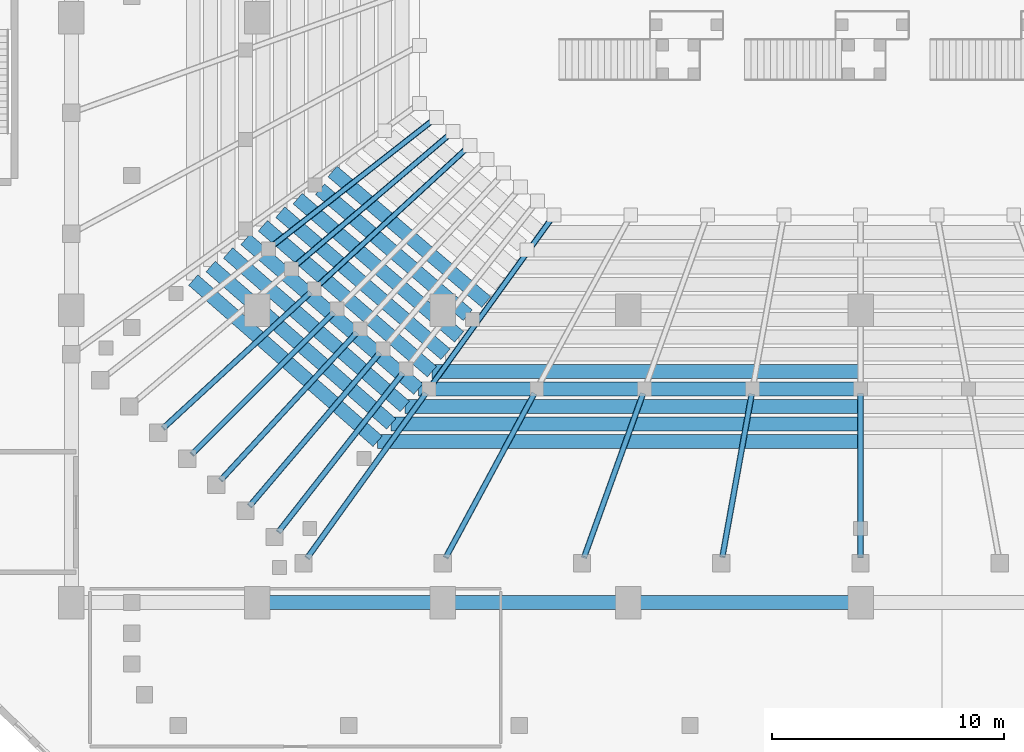
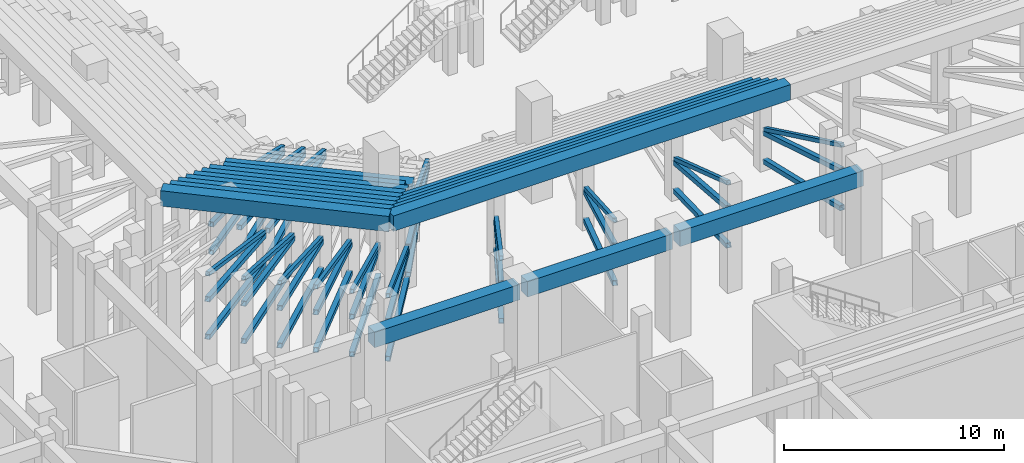
# One storey, part 31 of 143: 42 members, 17 beams.
"""IFC4 building model written with IfcOpenShell, lengths in metres."""

import ifcopenshell
import ifcopenshell.guid

model = None  # the IFC model being written
_history = None  # IfcOwnerHistory: only IFC2X3 demands one
_inside = {}  # id of a spatial element -> (the spatial element, [elements in it])
_under = {}  # id of a project, library or spatial element -> (it, [spatial elements below it])
_declared = {}  # id of a project -> (the project, [libraries it declares])
_typed = {}  # id of a type object -> (the type object, [elements of that type])
_made_of = {}  # id of a material, layer set ... -> (it, [elements and type objects made of it])


def new_model(schema):
    """Start an empty IFC model of exactly this schema.

    Asked for "IFC4X3", IfcOpenShell would pick the latest addendum, in which some entities
    have other attributes; the version numbers below select the first issue.
    IFC2X3 requires an IfcOwnerHistory on every rooted entity: one is made here for all.
    """
    global model, _history
    if schema == "IFC4X3":
        model = ifcopenshell.file(schema_version=(4, 3, 0, 0))
    else:
        model = ifcopenshell.file(schema=schema)
    _inside.clear()
    _under.clear()
    _declared.clear()
    _typed.clear()
    _made_of.clear()
    _history = None
    if model.schema == "IFC2X3":
        org = make("IfcOrganization", Name="unknown")
        user = make(
            "IfcPersonAndOrganization",
            ThePerson=make("IfcPerson", FamilyName="unknown"),
            TheOrganization=org,
        )
        app = make(
            "IfcApplication",
            ApplicationDeveloper=org,
            Version="unknown",
            ApplicationFullName="unknown",
            ApplicationIdentifier="unknown",
        )
        _history = make(
            "IfcOwnerHistory",
            OwningUser=user,
            OwningApplication=app,
            ChangeAction="ADDED",
            CreationDate=0,
        )
    return model


def make(cls, **values):
    """One entity of the class cls with the attributes given. An attribute that is None is left unset."""
    return model.create_entity(
        cls, **{name: value for name, value in values.items() if value is not None}
    )


def rooted(cls, **values):
    """An entity with a GlobalId (a new one), such as an element, a storey or a relation."""
    return make(cls, GlobalId=ifcopenshell.guid.new(), OwnerHistory=_history, **values)


def si_unit(unit_type, name, prefix=None):
    """IfcSIUnit, for example si_unit("LENGTHUNIT", "METRE", prefix="MILLI")."""
    return make("IfcSIUnit", UnitType=unit_type, Prefix=prefix, Name=name)


def derived_unit(unit_type, elements):
    """IfcDerivedUnit: a product of units, each with its exponent."""
    return make(
        "IfcDerivedUnit",
        Elements=[
            make("IfcDerivedUnitElement", Unit=unit, Exponent=power)
            for unit, power in elements
        ],
        UnitType=unit_type,
    )


def assignment(units):
    """IfcUnitAssignment: the units of a project."""
    return None if units is None else make("IfcUnitAssignment", Units=units)


def point(xyz):
    """IfcCartesianPoint."""
    return None if xyz is None else make("IfcCartesianPoint", Coordinates=xyz)


def direction(xyz):
    """IfcDirection."""
    return None if xyz is None else make("IfcDirection", DirectionRatios=xyz)


def frame(location, z_axis=None, x_axis=None):
    """IfcAxis2Placement3D, a coordinate frame: its origin and axes. An axis left out is left unset."""
    return make(
        "IfcAxis2Placement3D",
        Location=point(location),
        Axis=direction(z_axis),
        RefDirection=direction(x_axis),
    )


def frame_2d(location, x_axis=None):
    """IfcAxis2Placement2D, a coordinate frame in the plane: its origin and x axis."""
    return make(
        "IfcAxis2Placement2D", Location=point(location), RefDirection=direction(x_axis)
    )


def origin():
    """The frame at (0, 0, 0) with its axes left unset."""
    return frame((0.0, 0.0, 0.0))


def origin_2d():
    """The frame at (0, 0) in the plane with its x axis left unset."""
    return frame_2d((0.0, 0.0))


def place(relative_to, where):
    """IfcLocalPlacement: puts the frame where relative to a parent placement (None: the world)."""
    return make(
        "IfcLocalPlacement", PlacementRelTo=relative_to, RelativePlacement=where
    )


def context(
    kind, dimensions, precision=None, world=None, true_north=None, identifier=None
):
    """IfcGeometricRepresentationContext, for example the 3D "Model" context."""
    return make(
        "IfcGeometricRepresentationContext",
        ContextIdentifier=identifier,
        ContextType=kind,
        CoordinateSpaceDimension=dimensions,
        Precision=precision,
        WorldCoordinateSystem=world,
        TrueNorth=true_north,
    )


def subcontext(parent, identifier, kind, view, scale=None):
    """IfcGeometricRepresentationSubContext, for example "Body" below "Model"."""
    return make(
        "IfcGeometricRepresentationSubContext",
        ContextIdentifier=identifier,
        ContextType=kind,
        ParentContext=parent,
        TargetScale=scale,
        TargetView=view,
    )


def project(units=None, contexts=None):
    """IfcProject with its units and contexts."""
    return rooted(
        "IfcProject",
        Name="project",
        RepresentationContexts=contexts,
        UnitsInContext=assignment(units),
    )


def spatial(cls, under=None, at=None, **own):
    """A site, building, storey or space (cls), placed at a placement, below another one or the project."""
    s = rooted(cls, ObjectPlacement=at, **own)
    if under is not None:
        _under.setdefault(under.id(), (under, []))[1].append(s)
    return s


def profile(cls, at=None, kind="AREA", **sizes):
    """A parametric profile (cls). Its sizes go by their IFC names, for example OverallWidth=200.0."""
    return make(cls, ProfileType=kind, Position=at, **sizes)


def rectangle(**sizes):
    """IfcRectangleProfileDef."""
    return profile("IfcRectangleProfileDef", **sizes)


def hollow_rectangle(**sizes):
    """IfcRectangleHollowProfileDef."""
    return profile("IfcRectangleHollowProfileDef", **sizes)


def extrude(swept, where, along, depth):
    """IfcExtrudedAreaSolid: the profile swept, set in the frame where, extruded along a direction by depth."""
    return make(
        "IfcExtrudedAreaSolid",
        SweptArea=swept,
        Position=where,
        ExtrudedDirection=direction(along),
        Depth=depth,
    )


def shape(context_of_items, identifier, shape_type, items):
    """IfcShapeRepresentation: the items that make up one representation, for example the "Body"."""
    return make(
        "IfcShapeRepresentation",
        ContextOfItems=context_of_items,
        RepresentationIdentifier=identifier,
        RepresentationType=shape_type,
        Items=items,
    )


def material(Name=None, Category=None):
    """IfcMaterial."""
    return make("IfcMaterial", Name=Name, Category=Category)


def material_profile(
    of_material, cross_section, Name=None, Category=None, Priority=None
):
    """IfcMaterialProfile: a cross section and its material."""
    return make(
        "IfcMaterialProfile",
        Name=Name,
        Material=of_material,
        Profile=cross_section,
        Priority=Priority,
        Category=Category,
    )


def profile_set(profiles, Name=None, composite=None):
    """IfcMaterialProfileSet."""
    return make(
        "IfcMaterialProfileSet",
        Name=Name,
        MaterialProfiles=profiles,
        CompositeProfile=composite,
    )


def made_of(thing, what):
    """Note that an element or type object is made of a material, layer set ...; save() writes the relation."""
    if what is not None:
        _made_of.setdefault(what.id(), (what, []))[1].append(thing)
    return thing


def type_object(cls, material=None, **own):
    """A type object (cls), such as IfcWallType, which elements share."""
    return made_of(rooted(cls, **own), material)


def element(
    cls,
    number,
    at=None,
    inside=None,
    cuts=None,
    type_object=None,
    material=None,
    context=None,
    identifier="Body",
    shape_type=None,
    held_by="IfcProductDefinitionShape",
    body=None,
    shapes=None,
    **own,
):
    """One element of the class cls, such as IfcWall. Its Tag is "e" and its number.

    at: its placement. inside: the storey or other place that contains it. cuts: it is an
    opening in that element (IfcRelVoidsElement). A single representation is given by context,
    identifier, shape_type and body (its items); several are given by shapes. held_by: the class
    of the entity that holds the representations. save() writes the other relations.
    """
    e = rooted(cls, Tag="e%d" % number, ObjectPlacement=at, **own)
    if body is not None:
        shapes = [shape(context, identifier, shape_type, body)]
    if shapes is not None:
        e.Representation = make(held_by, Representations=shapes)
    if inside is not None:
        _inside.setdefault(inside.id(), (inside, []))[1].append(e)
    if cuts is not None:
        rooted(
            "IfcRelVoidsElement", RelatingBuildingElement=cuts, RelatedOpeningElement=e
        )
    if type_object is not None:
        _typed.setdefault(type_object.id(), (type_object, []))[1].append(e)
    return made_of(e, material)


def aggregate(whole, parts):
    """IfcRelAggregates: a whole, such as a stair, and the parts it consists of."""
    return rooted("IfcRelAggregates", RelatingObject=whole, RelatedObjects=parts)


def save(model, path):
    """Write the relations noted so far, then the file.

    IfcRelAggregates (storeys below a building ...), IfcRelContainedInSpatialStructure (elements
    in a storey), IfcRelDefinesByType, IfcRelAssociatesMaterial and IfcRelDeclares: one each for
    every whole, place, type object, material and project.
    """
    for whole, parts in _under.values():
        aggregate(whole, parts)
    for where, things in _inside.values():
        rooted(
            "IfcRelContainedInSpatialStructure",
            RelatedElements=things,
            RelatingStructure=where,
        )
    for kind, things in _typed.values():
        rooted("IfcRelDefinesByType", RelatedObjects=things, RelatingType=kind)
    for what, things in _made_of.values():
        rooted("IfcRelAssociatesMaterial", RelatedObjects=things, RelatingMaterial=what)
    for by, libraries in _declared.values():
        rooted("IfcRelDeclares", RelatingContext=by, RelatedDefinitions=libraries)
    model.write(path)


model = new_model("IFC4")

# Units and contexts
model_context = context("Model", 3, precision=1e-05, world=origin(), true_north=direction((0.0, 1.0)))
body_context = subcontext(model_context, "Body", "Model", "MODEL_VIEW")
ifc_project = project(units=[si_unit("LENGTHUNIT", "METRE"), si_unit("AREAUNIT", "SQUARE_METRE"), si_unit("VOLUMEUNIT", "CUBIC_METRE"), si_unit("PLANEANGLEUNIT", "RADIAN"), si_unit("MASSUNIT", "GRAM", prefix="KILO"), derived_unit("THERMALTRANSMITTANCEUNIT", [(si_unit("MASSUNIT", "GRAM", prefix="KILO"), 1), (si_unit("TIMEUNIT", "SECOND"), -3), (si_unit("THERMODYNAMICTEMPERATUREUNIT", "KELVIN"), -1)])], contexts=[model_context])

# Site, building, storey
site_placement = place(None, origin())
site = spatial("IfcSite", under=ifc_project, at=site_placement, CompositionType="ELEMENT")
building_placement = place(site_placement, origin())
building = spatial("IfcBuilding", under=site, at=building_placement, Name="Valcora Ridge Arena", CompositionType="ELEMENT")
storey_placement = place(building_placement, origin())
storey = spatial("IfcBuildingStorey", under=building, at=storey_placement, Name="L00", CompositionType="ELEMENT", Elevation=0.0)

# Beams
ifc_material_1 = material(Name="Concrete C40/50", Category="concrete")
ifc_material_profile_1 = material_profile(ifc_material_1, rectangle(XDim=0.60009765625, YDim=0.85009765625, at=origin_2d()), Name="RC 600x850")
ifc_profile_set_1 = profile_set([ifc_material_profile_1], Name="Concrete C40/50")
beam_type_1 = type_object("IfcBeamType", Name="TY-BEAM-B-RC600-X", PredefinedType="BEAM", material=ifc_profile_set_1)
beam_1_placement = place(storey_placement, frame((35.25, 51.175048828125, 2.175048828125), z_axis=(0.762294079169, -0.647230821936, 0.0), x_axis=(0.647230821936, 0.762294079169, 0.0)))
element("IfcBeam", 1, at=beam_1_placement, inside=storey, type_object=beam_type_1, Name="B-RC600-X BEM-R2-B-RC600-X-0060", PredefinedType="BEAM", context=body_context, shape_type="SweptSolid", body=[
    extrude(rectangle(XDim=0.60009765625, YDim=0.85009765625, at=origin_2d()), origin(), (0.0, 0.0, 1.0), 8.69091796875),
])
beam_2_placement = place(storey_placement, frame((34.713134765625, 50.408203125, 2.614990234375), z_axis=(0.76091703384, -0.648849187109, 0.0), x_axis=(0.648849187109, 0.76091703384, 0.0)))
element("IfcBeam", 2, at=beam_2_placement, inside=storey, type_object=beam_type_1, Name="B-RC600-X BEM-R2-B-RC600-X-0072", PredefinedType="BEAM", context=body_context, shape_type="SweptSolid", body=[
    extrude(rectangle(XDim=0.60009765625, YDim=0.85009765625, at=origin_2d()), origin(), (0.0, 0.0, 1.0), 8.36328125),
])
beam_3_placement = place(storey_placement, frame((33.75, 50.0048828125, 3.054931640625), z_axis=(0.759615985638, -0.650371858526, 0.0), x_axis=(0.650371858526, 0.759615985638, 0.0)))
element("IfcBeam", 3, at=beam_3_placement, inside=storey, type_object=beam_type_1, Name="B-RC600-X BEM-R2-B-RC600-X-0084", PredefinedType="BEAM", context=body_context, shape_type="SweptSolid", body=[
    extrude(rectangle(XDim=0.60009765625, YDim=0.85009765625, at=origin_2d()), origin(), (0.0, 0.0, 1.0), 9.156005859375),
])
beam_4_placement = place(storey_placement, frame((33.0, 49.419921875, 3.4951171875), z_axis=(0.758365655014, -0.651829374373, 0.0), x_axis=(0.651829374373, 0.758365655014, 0.0)))
element("IfcBeam", 4, at=beam_4_placement, inside=storey, type_object=beam_type_1, Name="B-RC600-X BEM-R2-B-RC600-X-0096", PredefinedType="BEAM", context=body_context, shape_type="SweptSolid", body=[
    extrude(rectangle(XDim=0.60009765625, YDim=0.85009765625, at=origin_2d()), origin(), (0.0, 0.0, 1.0), 9.388671875),
])
beam_5_placement = place(storey_placement, frame((39.534912109375, 42.550048828125, 3.93505859375), z_axis=(1.0, 0.0, 0.0), x_axis=(0.0, 1.0, 0.0)))
element("IfcBeam", 5, at=beam_5_placement, inside=storey, type_object=beam_type_1, Name="B-RC600-X BEM-R2-B-RC600-X-0097", PredefinedType="BEAM", context=body_context, shape_type="SweptSolid", body=[
    extrude(rectangle(XDim=0.60009765625, YDim=0.85009765625, at=origin_2d()), origin(), (0.0, 0.0, 1.0), 18.465087890625),
])
beam_6_placement = place(storey_placement, frame((32.25, 48.8349609375, 3.93505859375), z_axis=(0.757162389152, -0.653226696067, 0.0), x_axis=(0.653226696067, 0.757162389152, 0.0)))
element("IfcBeam", 6, at=beam_6_placement, inside=storey, type_object=beam_type_1, Name="B-RC600-X BEM-R2-B-RC600-X-0108", PredefinedType="BEAM", context=body_context, shape_type="SweptSolid", body=[
    extrude(rectangle(XDim=0.60009765625, YDim=0.85009765625, at=origin_2d()), origin(), (0.0, 0.0, 1.0), 9.621337890625),
])
beam_7_placement = place(storey_placement, frame((38.949951171875, 41.800048828125, 4.375), z_axis=(1.0, 0.0, 0.0), x_axis=(0.0, 1.0, 0.0)))
element("IfcBeam", 7, at=beam_7_placement, inside=storey, type_object=beam_type_1, Name="B-RC600-X BEM-R2-B-RC600-X-0109", PredefinedType="BEAM", context=body_context, shape_type="SweptSolid", body=[
    extrude(rectangle(XDim=0.60009765625, YDim=0.85009765625, at=origin_2d()), origin(), (0.0, 0.0, 1.0), 19.050048828125),
])
beam_8_placement = place(storey_placement, frame((31.5, 48.25, 4.375), z_axis=(0.756024144683, -0.654543728605, 0.0), x_axis=(0.654543728605, 0.756024144683, 0.0)))
element("IfcBeam", 8, at=beam_8_placement, inside=storey, type_object=beam_type_1, Name="B-RC600-X BEM-R2-B-RC600-X-0120", PredefinedType="BEAM", context=body_context, shape_type="SweptSolid", body=[
    extrude(rectangle(XDim=0.60009765625, YDim=0.85009765625, at=origin_2d()), origin(), (0.0, 0.0, 1.0), 9.85400390625),
])
beam_9_placement = place(storey_placement, frame((38.364990234375, 41.050048828125, 4.81494140625), z_axis=(1.0, 0.0, 0.0), x_axis=(0.0, 1.0, 0.0)))
element("IfcBeam", 9, at=beam_9_placement, inside=storey, type_object=beam_type_1, Name="B-RC600-X BEM-R2-B-RC600-X-0121", PredefinedType="BEAM", context=body_context, shape_type="SweptSolid", body=[
    extrude(rectangle(XDim=0.60009765625, YDim=0.85009765625, at=origin_2d()), origin(), (0.0, 0.0, 1.0), 19.635009765625),
])
beam_10_placement = place(storey_placement, frame((30.75, 47.6650390625, 4.81494140625), z_axis=(0.754936305086, -0.655798120814, 0.0), x_axis=(0.655798120814, 0.754936305086, 0.0)))
element("IfcBeam", 10, at=beam_10_placement, inside=storey, type_object=beam_type_1, Name="B-RC600-X BEM-R2-B-RC600-X-0132", PredefinedType="BEAM", context=body_context, shape_type="SweptSolid", body=[
    extrude(rectangle(XDim=0.60009765625, YDim=0.85009765625, at=origin_2d()), origin(), (0.0, 0.0, 1.0), 10.0869140625),
])
beam_11_placement = place(storey_placement, frame((37.780029296875, 40.300048828125, 5.2548828125), z_axis=(1.0, 0.0, 0.0), x_axis=(0.0, 1.0, 0.0)))
element("IfcBeam", 11, at=beam_11_placement, inside=storey, type_object=beam_type_1, Name="B-RC600-X BEM-R2-B-RC600-X-0133", PredefinedType="BEAM", context=body_context, shape_type="SweptSolid", body=[
    extrude(rectangle(XDim=0.60009765625, YDim=0.85009765625, at=origin_2d()), origin(), (0.0, 0.0, 1.0), 20.219970703125),
])
beam_12_placement = place(storey_placement, frame((30.0, 47.080078125, 5.2548828125), z_axis=(0.753895608805, -0.656994224499, 0.0), x_axis=(0.656994224499, 0.753895608805, 0.0)))
element("IfcBeam", 12, at=beam_12_placement, inside=storey, type_object=beam_type_1, Name="B-RC600-X BEM-R2-B-RC600-X-0144", PredefinedType="BEAM", context=body_context, shape_type="SweptSolid", body=[
    extrude(rectangle(XDim=0.60009765625, YDim=0.85009765625, at=origin_2d()), origin(), (0.0, 0.0, 1.0), 10.31982421875),
])
beam_13_placement = place(storey_placement, frame((37.195068359375, 39.550048828125, 5.695068359375), z_axis=(1.0, 0.0, 0.0), x_axis=(0.0, 1.0, 0.0)))
element("IfcBeam", 13, at=beam_13_placement, inside=storey, type_object=beam_type_1, Name="B-RC600-X BEM-R2-B-RC600-X-0145", PredefinedType="BEAM", context=body_context, shape_type="SweptSolid", body=[
    extrude(rectangle(XDim=0.60009765625, YDim=0.85009765625, at=origin_2d()), origin(), (0.0, 0.0, 1.0), 20.804931640625),
])
beam_14_placement = place(storey_placement, frame((29.25, 46.4951171875, 5.695068359375), z_axis=(0.752899068512, -0.658135998585, 0.0), x_axis=(0.658135998585, 0.752899068512, 0.0)))
element("IfcBeam", 14, at=beam_14_placement, inside=storey, type_object=beam_type_1, Name="B-RC600-X BEM-R2-B-RC600-X-0156", PredefinedType="BEAM", context=body_context, shape_type="SweptSolid", body=[
    extrude(rectangle(XDim=0.60009765625, YDim=0.85009765625, at=origin_2d()), origin(), (0.0, 0.0, 1.0), 10.552734375),
])
ifc_material_profile_2 = material_profile(ifc_material_1, rectangle(XDim=0.60009765625, YDim=0.85009765625, at=origin_2d()), Name="RC 600x850")
ifc_profile_set_2 = profile_set([ifc_material_profile_2], Name="Concrete C40/50")
beam_type_2 = type_object("IfcBeamType", Name="TY-BEAM-EB-RC600", PredefinedType="BEAM", material=ifc_profile_set_2)
for number, where, z_axis, x_axis, name in (
    (15, (32.199951171875, 32.60009765625, 5.215087890625), (1.0, 0.0, 0.0), (0.0, 1.0, 0.0), "EB-RC600 BEM-EB-RC600-0002"),
    (16, (40.199951171875, 32.60009765625, 5.215087890625), (1.0, 0.0, 0.0), (0.0, 1.0, 0.0), "EB-RC600 BEM-EB-RC600-0003"),
):
    element("IfcBeam", number, at=place(storey_placement, frame(where, z_axis=z_axis, x_axis=x_axis)), inside=storey, type_object=beam_type_2, Name=name, PredefinedType="BEAM", context=body_context, shape_type="SweptSolid", body=[
        extrude(rectangle(XDim=0.60009765625, YDim=0.85009765625, at=origin_2d()), origin(), (0.0, 0.0, 1.0), 7.60009765625),
    ])
beam_15_placement = place(storey_placement, frame((48.199951171875, 32.60009765625, 5.215087890625), z_axis=(1.0, 0.0, 0.0), x_axis=(0.0, 1.0, 0.0)))
element("IfcBeam", 17, at=beam_15_placement, inside=storey, type_object=beam_type_2, Name="EB-RC600 BEM-EB-RC600-0004", PredefinedType="BEAM", context=body_context, shape_type="SweptSolid", body=[
    extrude(rectangle(XDim=0.60009765625, YDim=0.85009765625, at=origin_2d()), origin(), (0.0, 0.0, 1.0), 9.60009765625),
])

# Members
ifc_material_2 = material(Name="Steel ASTM A500 Grade C", Category="steel")
ifc_material_profile_3 = material_profile(ifc_material_2, hollow_rectangle(XDim=0.25, YDim=0.25, WallThickness=0.012451171875, at=origin_2d()), Name="HSS250X250X12")
ifc_profile_set_3 = profile_set([ifc_material_profile_3], Name="Steel ASTM A500 Grade C")
member_type_1 = type_object("IfcMemberType", Name="TY-MEMBER-RKRC-251", PredefinedType="CHORD", material=ifc_profile_set_3)
member_1_placement = place(storey_placement, frame((44.662109375, 49.108642578125, 0.294677734375), z_axis=(-0.574095048612, -0.797370949409, 0.18604957457), x_axis=(0.811540149599, -0.584296658889, 0.0)))
element("IfcMember", 18, at=member_1_placement, inside=storey, type_object=member_type_1, Name="RKRC-251 MBR-RK-RKRC-251-0001", PredefinedType="CHORD", context=body_context, shape_type="SweptSolid", body=[
    extrude(hollow_rectangle(XDim=0.25, YDim=0.25, WallThickness=0.012451171875, at=origin_2d()), origin(), (0.0, 0.0, 1.0), 8.92578125),
])
member_2_placement = place(storey_placement, frame((39.539306640625, 53.354736328125, 0.294921875), z_axis=(-0.77369753626, -0.605307455921, 0.18706952235), x_axis=(0.616185171788, -0.787601316701, 0.0)))
element("IfcMember", 19, at=member_2_placement, inside=storey, type_object=member_type_1, Name="RKRC-251 MBR-RK-RKRC-251-0054", PredefinedType="CHORD", context=body_context, shape_type="SweptSolid", body=[
    extrude(hollow_rectangle(XDim=0.25, YDim=0.25, WallThickness=0.012451171875, at=origin_2d()), origin(), (0.0, 0.0, 1.0), 8.87451171875),
])
member_3_placement = place(storey_placement, frame((40.270263671875, 52.747314453125, 0.295166015625), z_axis=(-0.748579173913, -0.635893103484, 0.187800908745), x_axis=(0.647412437908, -0.76213983969, 0.0)))
element("IfcMember", 20, at=member_3_placement, inside=storey, type_object=member_type_1, Name="RKRC-251 MBR-RK-RKRC-251-0055", PredefinedType="CHORD", context=body_context, shape_type="SweptSolid", body=[
    extrude(hollow_rectangle(XDim=0.25, YDim=0.25, WallThickness=0.012451171875, at=origin_2d()), origin(), (0.0, 0.0, 1.0), 8.83740234375),
])
member_4_placement = place(storey_placement, frame((41.001708984375, 52.14013671875, 0.295166015625), z_axis=(-0.722135817666, -0.665638902305, 0.188267662071), x_axis=(0.67775874937, -0.735284351563, 0.0)))
element("IfcMember", 21, at=member_4_placement, inside=storey, type_object=member_type_1, Name="RKRC-251 MBR-RK-RKRC-251-0056", PredefinedType="CHORD", context=body_context, shape_type="SweptSolid", body=[
    extrude(hollow_rectangle(XDim=0.25, YDim=0.25, WallThickness=0.012451171875, at=origin_2d()), origin(), (0.0, 0.0, 1.0), 8.8154296875),
])
ifc_material_profile_4 = material_profile(ifc_material_2, hollow_rectangle(XDim=0.25, YDim=0.25, WallThickness=0.012451171875, at=origin_2d()), Name="HSS250X250X12")
ifc_profile_set_4 = profile_set([ifc_material_profile_4], Name="Steel ASTM A500 Grade C")
member_type_2 = type_object("IfcMemberType", Name="TY-MEMBER-RKRC-252", PredefinedType="CHORD", material=ifc_profile_set_4)
member_5_placement = place(storey_placement, frame((39.263916015625, 41.611083984375, 2.05810546875), z_axis=(-0.567011880625, -0.787514994452, 0.241490498247), x_axis=(0.811533811457, -0.584305461948, 0.0)))
element("IfcMember", 22, at=member_5_placement, inside=storey, type_object=member_type_2, Name="RKRC-252 MBR-RK-RKRC-252-0001", PredefinedType="CHORD", context=body_context, shape_type="SweptSolid", body=[
    extrude(hollow_rectangle(XDim=0.25, YDim=0.25, WallThickness=0.012451171875, at=origin_2d()), origin(), (0.0, 0.0, 1.0), 9.003662109375),
])
member_6_placement = place(storey_placement, frame((43.93994140625, 41.59619140625, 2.0625), z_axis=(-0.458742849833, -0.8495205311, 0.260518454178), x_axis=(0.87990463419, -0.475150328559, 0.0)))
element("IfcMember", 23, at=member_6_placement, inside=storey, type_object=member_type_2, Name="RKRC-252 MBR-RK-RKRC-252-0002", PredefinedType="CHORD", context=body_context, shape_type="SweptSolid", body=[
    extrude(hollow_rectangle(XDim=0.25, YDim=0.25, WallThickness=0.012451171875, at=origin_2d()), origin(), (0.0, 0.0, 1.0), 8.30859375),
])
member_7_placement = place(storey_placement, frame((48.621826171875, 41.5830078125, 2.06640625), z_axis=(-0.325435833964, -0.904005869091, 0.277245210277), x_axis=(0.940889494564, -0.338713682953, 0.0)))
element("IfcMember", 24, at=member_7_placement, inside=storey, type_object=member_type_2, Name="RKRC-252 MBR-RK-RKRC-252-0003", PredefinedType="CHORD", context=body_context, shape_type="SweptSolid", body=[
    extrude(hollow_rectangle(XDim=0.25, YDim=0.25, WallThickness=0.012451171875, at=origin_2d()), origin(), (0.0, 0.0, 1.0), 7.776611328125),
])
member_8_placement = place(storey_placement, frame((53.309326171875, 41.573974609375, 2.0693359375), z_axis=(-0.169581220746, -0.94221268818, 0.288924661121), x_axis=(0.984186431325, -0.177135734384, 0.0)))
element("IfcMember", 25, at=member_8_placement, inside=storey, type_object=member_type_2, Name="RKRC-252 MBR-RK-RKRC-252-0004", PredefinedType="CHORD", context=body_context, shape_type="SweptSolid", body=[
    extrude(hollow_rectangle(XDim=0.25, YDim=0.25, WallThickness=0.012451171875, at=origin_2d()), origin(), (0.0, 0.0, 1.0), 7.440185546875),
])
member_9_placement = place(storey_placement, frame((58.0, 41.570556640625, 2.0703125), z_axis=(0.0, -0.95604885156, 0.293207423901), x_axis=(1.0, 0.0, 0.0)))
element("IfcMember", 26, at=member_9_placement, inside=storey, type_object=member_type_2, Name="RKRC-252 MBR-RK-RKRC-252-0005", PredefinedType="CHORD", context=body_context, shape_type="SweptSolid", body=[
    extrude(hollow_rectangle(XDim=0.25, YDim=0.25, WallThickness=0.012451171875, at=origin_2d()), origin(), (0.0, 0.0, 1.0), 7.324951171875),
])
member_10_placement = place(storey_placement, frame((34.29150390625, 45.954833984375, 2.05859375), z_axis=(-0.712985385494, -0.657238799494, 0.244313324464), x_axis=(0.677777949343, -0.735266653252, 0.0)))
element("IfcMember", 27, at=member_10_placement, inside=storey, type_object=member_type_2, Name="RKRC-252 MBR-RK-RKRC-252-0056", PredefinedType="CHORD", context=body_context, shape_type="SweptSolid", body=[
    extrude(hollow_rectangle(XDim=0.25, YDim=0.25, WallThickness=0.012451171875, at=origin_2d()), origin(), (0.0, 0.0, 1.0), 8.894775390625),
])
member_11_placement = place(storey_placement, frame((35.285400390625, 45.08544921875, 2.05859375), z_axis=(-0.685647133056, -0.685647133056, 0.244491345174), x_axis=(0.707106781187, -0.707106781187, 0.0)))
element("IfcMember", 28, at=member_11_placement, inside=storey, type_object=member_type_2, Name="RKRC-252 MBR-RK-RKRC-252-0057", PredefinedType="CHORD", context=body_context, shape_type="SweptSolid", body=[
    extrude(hollow_rectangle(XDim=0.25, YDim=0.25, WallThickness=0.012451171875, at=origin_2d()), origin(), (0.0, 0.0, 1.0), 8.88720703125),
])
member_12_placement = place(storey_placement, frame((36.27978515625, 44.21630859375, 2.05859375), z_axis=(-0.657223207673, -0.712998247682, 0.244317731853), x_axis=(0.735280759397, -0.677762646404, 0.0)))
element("IfcMember", 29, at=member_12_placement, inside=storey, type_object=member_type_2, Name="RKRC-252 MBR-RK-RKRC-252-0058", PredefinedType="CHORD", context=body_context, shape_type="SweptSolid", body=[
    extrude(hollow_rectangle(XDim=0.25, YDim=0.25, WallThickness=0.012451171875, at=origin_2d()), origin(), (0.0, 0.0, 1.0), 8.89453125),
])
member_13_placement = place(storey_placement, frame((37.2744140625, 43.34765625, 2.05859375), z_axis=(-0.627900701205, -0.739149634966, 0.243718129314), x_axis=(0.762130846094, -0.647423025102, 0.0)))
element("IfcMember", 30, at=member_13_placement, inside=storey, type_object=member_type_2, Name="RKRC-252 MBR-RK-RKRC-252-0059", PredefinedType="CHORD", context=body_context, shape_type="SweptSolid", body=[
    extrude(hollow_rectangle(XDim=0.25, YDim=0.25, WallThickness=0.012451171875, at=origin_2d()), origin(), (0.0, 0.0, 1.0), 8.91650390625),
])
member_14_placement = place(storey_placement, frame((38.26904296875, 42.47900390625, 2.058349609375), z_axis=(-0.597760906174, -0.76402679326, 0.242785827904), x_axis=(0.787591600786, -0.616197590364, 0.0)))
element("IfcMember", 31, at=member_14_placement, inside=storey, type_object=member_type_2, Name="RKRC-252 MBR-RK-RKRC-252-0060", PredefinedType="CHORD", context=body_context, shape_type="SweptSolid", body=[
    extrude(hollow_rectangle(XDim=0.25, YDim=0.25, WallThickness=0.012451171875, at=origin_2d()), origin(), (0.0, 0.0, 1.0), 8.95263671875),
])
ifc_material_profile_5 = material_profile(ifc_material_2, hollow_rectangle(XDim=0.25, YDim=0.25, WallThickness=0.012451171875, at=origin_2d()), Name="HSS250X250X12")
ifc_profile_set_5 = profile_set([ifc_material_profile_5], Name="Steel ASTM A500 Grade C")
member_type_3 = type_object("IfcMemberType", Name="TY-MEMBER-RKRC-254", PredefinedType="CHORD", material=ifc_profile_set_5)
member_15_placement = place(storey_placement, frame((44.659912109375, 49.105224609375, 0.39990234375), z_axis=(-0.584317938635, -0.811524828079, 0.0), x_axis=(0.811524828079, -0.584317938635, 0.0)))
element("IfcMember", 32, at=member_15_placement, inside=storey, type_object=member_type_3, Name="RKRC-254 MBR-RK-RKRC-254-0001", PredefinedType="CHORD", context=body_context, shape_type="SweptSolid", body=[
    extrude(hollow_rectangle(XDim=0.25, YDim=0.25, WallThickness=0.012451171875, at=origin_2d()), origin(), (0.0, 0.0, 1.0), 8.76171875),
])
member_16_placement = place(storey_placement, frame((39.535888671875, 53.35205078125, 0.39990234375), z_axis=(-0.78758899131, -0.616200925647, 0.0), x_axis=(0.616200925647, -0.78758899131, 0.0)))
element("IfcMember", 33, at=member_16_placement, inside=storey, type_object=member_type_3, Name="RKRC-254 MBR-RK-RKRC-254-0054", PredefinedType="CHORD", context=body_context, shape_type="SweptSolid", body=[
    extrude(hollow_rectangle(XDim=0.25, YDim=0.25, WallThickness=0.012451171875, at=origin_2d()), origin(), (0.0, 0.0, 1.0), 8.709228515625),
])
member_17_placement = place(storey_placement, frame((40.26708984375, 52.74462890625, 0.39990234375), z_axis=(-0.762138643155, -0.647413846477, 0.0), x_axis=(0.647413846477, -0.762138643155, 0.0)))
element("IfcMember", 34, at=member_17_placement, inside=storey, type_object=member_type_3, Name="RKRC-254 MBR-RK-RKRC-254-0055", PredefinedType="CHORD", context=body_context, shape_type="SweptSolid", body=[
    extrude(hollow_rectangle(XDim=0.25, YDim=0.25, WallThickness=0.012451171875, at=origin_2d()), origin(), (0.0, 0.0, 1.0), 8.671875),
])
member_18_placement = place(storey_placement, frame((40.99853515625, 52.13720703125, 0.39990234375), z_axis=(-0.735284831695, -0.677758228486, 0.0), x_axis=(0.677758228486, -0.735284831695, 0.0)))
element("IfcMember", 35, at=member_18_placement, inside=storey, type_object=member_type_3, Name="RKRC-254 MBR-RK-RKRC-254-0056", PredefinedType="CHORD", context=body_context, shape_type="SweptSolid", body=[
    extrude(hollow_rectangle(XDim=0.25, YDim=0.25, WallThickness=0.012451171875, at=origin_2d()), origin(), (0.0, 0.0, 1.0), 8.649169921875),
])
ifc_material_profile_6 = material_profile(ifc_material_2, hollow_rectangle(XDim=0.25, YDim=0.25, WallThickness=0.012451171875, at=origin_2d()), Name="HSS250X250X12")
ifc_profile_set_6 = profile_set([ifc_material_profile_6], Name="Steel ASTM A500 Grade C")
member_type_4 = type_object("IfcMemberType", Name="TY-MEMBER-RKRC-255", PredefinedType="CHORD", material=ifc_profile_set_6)
member_19_placement = place(storey_placement, frame((39.26220703125, 41.608642578125, 0.49462890625), z_axis=(-0.574105087517, -0.797362071684, 0.18605664494), x_axis=(0.811532219938, -0.58430767238, 0.0)))
element("IfcMember", 36, at=member_19_placement, inside=storey, type_object=member_type_4, Name="RKRC-255 MBR-RK-RKRC-255-0001", PredefinedType="CHORD", context=body_context, shape_type="SweptSolid", body=[
    extrude(hollow_rectangle(XDim=0.25, YDim=0.25, WallThickness=0.012451171875, at=origin_2d()), origin(), (0.0, 0.0, 1.0), 8.88623046875),
])
member_20_placement = place(storey_placement, frame((43.938232421875, 41.593017578125, 0.498291015625), z_axis=(-0.465430848581, -0.861928872886, 0.201128673427), x_axis=(0.87990998272, -0.475140423781, 0.0)))
element("IfcMember", 37, at=member_20_placement, inside=storey, type_object=member_type_4, Name="RKRC-255 MBR-RK-RKRC-255-0002", PredefinedType="CHORD", context=body_context, shape_type="SweptSolid", body=[
    extrude(hollow_rectangle(XDim=0.25, YDim=0.25, WallThickness=0.012451171875, at=origin_2d()), origin(), (0.0, 0.0, 1.0), 8.181396484375),
])
member_21_placement = place(storey_placement, frame((48.62060546875, 41.579345703125, 0.50146484375), z_axis=(-0.330860021706, -0.91899526261, 0.214427967713), x_axis=(0.940880322384, -0.338739160639, 0.0)))
element("IfcMember", 38, at=member_21_placement, inside=storey, type_object=member_type_4, Name="RKRC-255 MBR-RK-RKRC-255-0003", PredefinedType="CHORD", context=body_context, shape_type="SweptSolid", body=[
    extrude(hollow_rectangle(XDim=0.25, YDim=0.25, WallThickness=0.012451171875, at=origin_2d()), origin(), (0.0, 0.0, 1.0), 7.640869140625),
])
member_22_placement = place(storey_placement, frame((53.30859375, 41.56982421875, 0.503662109375), z_axis=(-0.172663767621, -0.959217137557, 0.223807297395), x_axis=(0.984182486251, -0.177157652266, 0.0)))
element("IfcMember", 39, at=member_22_placement, inside=storey, type_object=member_type_4, Name="RKRC-255 MBR-RK-RKRC-255-0004", PredefinedType="CHORD", context=body_context, shape_type="SweptSolid", body=[
    extrude(hollow_rectangle(XDim=0.25, YDim=0.25, WallThickness=0.012451171875, at=origin_2d()), origin(), (0.0, 0.0, 1.0), 7.298828125),
])
member_23_placement = place(storey_placement, frame((58.0, 41.56640625, 0.50439453125), z_axis=(0.0, -0.973834188084, 0.227259706324), x_axis=(1.0, 0.0, 0.0)))
element("IfcMember", 40, at=member_23_placement, inside=storey, type_object=member_type_4, Name="RKRC-255 MBR-RK-RKRC-255-0005", PredefinedType="CHORD", context=body_context, shape_type="SweptSolid", body=[
    extrude(hollow_rectangle(XDim=0.25, YDim=0.25, WallThickness=0.012451171875, at=origin_2d()), origin(), (0.0, 0.0, 1.0), 7.181640625),
])
member_24_placement = place(storey_placement, frame((34.289306640625, 45.95263671875, 0.4951171875), z_axis=(-0.722139811587, -0.665636134069, 0.188262129869), x_axis=(0.677755198895, -0.735287624247, 0.0)))
element("IfcMember", 41, at=member_24_placement, inside=storey, type_object=member_type_4, Name="RKRC-255 MBR-RK-RKRC-255-0056", PredefinedType="CHORD", context=body_context, shape_type="SweptSolid", body=[
    extrude(hollow_rectangle(XDim=0.25, YDim=0.25, WallThickness=0.012451171875, at=origin_2d()), origin(), (0.0, 0.0, 1.0), 8.775634765625),
])
member_25_placement = place(storey_placement, frame((35.283203125, 45.083251953125, 0.4951171875), z_axis=(-0.694440992123, -0.694440992123, 0.188423504158), x_axis=(0.707106781187, -0.707106781187, 0.0)))
element("IfcMember", 42, at=member_25_placement, inside=storey, type_object=member_type_4, Name="RKRC-255 MBR-RK-RKRC-255-0057", PredefinedType="CHORD", context=body_context, shape_type="SweptSolid", body=[
    extrude(hollow_rectangle(XDim=0.25, YDim=0.25, WallThickness=0.012451171875, at=origin_2d()), origin(), (0.0, 0.0, 1.0), 8.76806640625),
])
member_26_placement = place(storey_placement, frame((36.277587890625, 44.214111328125, 0.4951171875), z_axis=(-0.665649507095, -0.722126498627, 0.188265912167), x_axis=(0.735274611708, -0.677769315754, 0.0)))
element("IfcMember", 43, at=member_26_placement, inside=storey, type_object=member_type_4, Name="RKRC-255 MBR-RK-RKRC-255-0058", PredefinedType="CHORD", context=body_context, shape_type="SweptSolid", body=[
    extrude(hollow_rectangle(XDim=0.25, YDim=0.25, WallThickness=0.012451171875, at=origin_2d()), origin(), (0.0, 0.0, 1.0), 8.775390625),
])
member_27_placement = place(storey_placement, frame((37.2724609375, 43.34521484375, 0.4951171875), z_axis=(-0.635901587114, -0.748568418608, 0.187815053091), x_axis=(0.762130988109, -0.647422857925, 0.0)))
element("IfcMember", 44, at=member_27_placement, inside=storey, type_object=member_type_4, Name="RKRC-255 MBR-RK-RKRC-255-0059", PredefinedType="CHORD", context=body_context, shape_type="SweptSolid", body=[
    extrude(hollow_rectangle(XDim=0.25, YDim=0.25, WallThickness=0.012451171875, at=origin_2d()), origin(), (0.0, 0.0, 1.0), 8.797607421875),
])
member_28_placement = place(storey_placement, frame((38.26708984375, 42.476806640625, 0.494873046875), z_axis=(-0.605311535038, -0.773690058732, 0.187087248549), x_axis=(0.787596411335, -0.616191441722, 0.0)))
element("IfcMember", 45, at=member_28_placement, inside=storey, type_object=member_type_4, Name="RKRC-255 MBR-RK-RKRC-255-0060", PredefinedType="CHORD", context=body_context, shape_type="SweptSolid", body=[
    extrude(hollow_rectangle(XDim=0.25, YDim=0.25, WallThickness=0.012451171875, at=origin_2d()), origin(), (0.0, 0.0, 1.0), 8.83447265625),
])
ifc_material_profile_7 = material_profile(ifc_material_2, hollow_rectangle(XDim=0.199951171875, YDim=0.199951171875, WallThickness=0.012451171875, at=origin_2d()), Name="HSS200X200X12")
ifc_profile_set_7 = profile_set([ifc_material_profile_7], Name="Steel ASTM A500 Grade C")
member_type_5 = type_object("IfcMemberType", Name="TY-MEMBER-RKRD-202", PredefinedType="BRACE", material=ifc_profile_set_7)
member_29_placement = place(storey_placement, frame((39.269287109375, 41.618408203125, 2.237060546875), z_axis=(-0.544461556615, -0.756177844911, 0.362983030229), x_axis=(0.811527467141, -0.58431427338, 0.0)))
element("IfcMember", 46, at=member_29_placement, inside=storey, type_object=member_type_5, Name="RKRD-202 Raker Diagonal Brace", PredefinedType="BRACE", context=body_context, shape_type="SweptSolid", body=[
    extrude(hollow_rectangle(XDim=0.199951171875, YDim=0.199951171875, WallThickness=0.012451171875, at=origin_2d()), origin(), (0.0, 0.0, 1.0), 9.398193359375),
])
member_30_placement = place(storey_placement, frame((43.94482421875, 41.60546875, 2.243408203125), z_axis=(-0.437703278307, -0.810573016604, 0.389085112685), x_axis=(0.87990818911, -0.475143745342, 0.0)))
element("IfcMember", 47, at=member_30_placement, inside=storey, type_object=member_type_5, Name="RKRD-202 Raker Diagonal Brace", PredefinedType="BRACE", context=body_context, shape_type="SweptSolid", body=[
    extrude(hollow_rectangle(XDim=0.199951171875, YDim=0.199951171875, WallThickness=0.012451171875, at=origin_2d()), origin(), (0.0, 0.0, 1.0), 8.732666015625),
])
member_31_placement = place(storey_placement, frame((48.6259765625, 41.59423828125, 2.248779296875), z_axis=(-0.308702201603, -0.857492925697, 0.411593043071), x_axis=(0.940885751403, -0.338724080643, 0.0)))
element("IfcMember", 48, at=member_31_placement, inside=storey, type_object=member_type_5, Name="RKRD-202 Raker Diagonal Brace", PredefinedType="BRACE", context=body_context, shape_type="SweptSolid", body=[
    extrude(hollow_rectangle(XDim=0.199951171875, YDim=0.199951171875, WallThickness=0.012451171875, at=origin_2d()), origin(), (0.0, 0.0, 1.0), 8.2265625),
])
member_32_placement = place(storey_placement, frame((53.3115234375, 41.58642578125, 2.25244140625), z_axis=(-0.160168227638, -0.889878371904, 0.427156437471), x_axis=(0.984185228926, -0.17714241492, 0.0)))
element("IfcMember", 49, at=member_32_placement, inside=storey, type_object=member_type_5, Name="RKRD-202 Raker Diagonal Brace", PredefinedType="BRACE", context=body_context, shape_type="SweptSolid", body=[
    extrude(hollow_rectangle(XDim=0.199951171875, YDim=0.199951171875, WallThickness=0.012451171875, at=origin_2d()), origin(), (0.0, 0.0, 1.0), 7.907958984375),
])
member_33_placement = place(storey_placement, frame((58.0, 41.58349609375, 2.25390625), z_axis=(0.0, -0.901517195562, 0.432743279678), x_axis=(1.0, 0.0, 0.0)))
element("IfcMember", 50, at=member_33_placement, inside=storey, type_object=member_type_5, Name="RKRD-202 Raker Diagonal Brace", PredefinedType="BRACE", context=body_context, shape_type="SweptSolid", body=[
    extrude(hollow_rectangle(XDim=0.199951171875, YDim=0.199951171875, WallThickness=0.012451171875, at=origin_2d()), origin(), (0.0, 0.0, 1.0), 7.799072265625),
])
member_34_placement = place(storey_placement, frame((34.29833984375, 45.961181640625, 2.238037109375), z_axis=(-0.684022868447, -0.630510517919, 0.366836751478), x_axis=(0.677760356589, -0.735282870083, 0.0)))
element("IfcMember", 51, at=member_34_placement, inside=storey, type_object=member_type_5, Name="RKRD-202 Raker Diagonal Brace", PredefinedType="BRACE", context=body_context, shape_type="SweptSolid", body=[
    extrude(hollow_rectangle(XDim=0.199951171875, YDim=0.199951171875, WallThickness=0.012451171875, at=origin_2d()), origin(), (0.0, 0.0, 1.0), 9.29345703125),
])
member_35_placement = place(storey_placement, frame((35.2919921875, 45.092041015625, 2.238037109375), z_axis=(-0.657732417074, -0.657732417074, 0.367118693422), x_axis=(0.707106781187, -0.707106781187, 0.0)))
element("IfcMember", 52, at=member_35_placement, inside=storey, type_object=member_type_5, Name="RKRD-202 Raker Diagonal Brace", PredefinedType="BRACE", context=body_context, shape_type="SweptSolid", body=[
    extrude(hollow_rectangle(XDim=0.199951171875, YDim=0.199951171875, WallThickness=0.012451171875, at=origin_2d()), origin(), (0.0, 0.0, 1.0), 9.286376953125),
])
member_36_placement = place(storey_placement, frame((36.2861328125, 44.223388671875, 2.238037109375), z_axis=(-0.630510517919, -0.684022868447, 0.366836751478), x_axis=(0.735282870083, -0.677760356589, 0.0)))
element("IfcMember", 53, at=member_36_placement, inside=storey, type_object=member_type_5, Name="RKRD-202 Raker Diagonal Brace", PredefinedType="BRACE", context=body_context, shape_type="SweptSolid", body=[
    extrude(hollow_rectangle(XDim=0.199951171875, YDim=0.199951171875, WallThickness=0.012451171875, at=origin_2d()), origin(), (0.0, 0.0, 1.0), 9.29345703125),
])
member_37_placement = place(storey_placement, frame((37.280517578125, 43.354736328125, 2.23779296875), z_axis=(-0.602480714626, -0.709237172934, 0.366059586725), x_axis=(0.762135952051, -0.647417014444, 0.0)))
element("IfcMember", 54, at=member_37_placement, inside=storey, type_object=member_type_5, Name="RKRD-202 Raker Diagonal Brace", PredefinedType="BRACE", context=body_context, shape_type="SweptSolid", body=[
    extrude(hollow_rectangle(XDim=0.199951171875, YDim=0.199951171875, WallThickness=0.012451171875, at=origin_2d()), origin(), (0.0, 0.0, 1.0), 9.314453125),
])
member_38_placement = place(storey_placement, frame((38.27490234375, 42.486572265625, 2.237548828125), z_axis=(-0.573746660792, -0.733320930048, 0.364767299499), x_axis=(0.787586663126, -0.616203901371, 0.0)))
element("IfcMember", 55, at=member_38_placement, inside=storey, type_object=member_type_5, Name="RKRD-202 Raker Diagonal Brace", PredefinedType="BRACE", context=body_context, shape_type="SweptSolid", body=[
    extrude(hollow_rectangle(XDim=0.199951171875, YDim=0.199951171875, WallThickness=0.012451171875, at=origin_2d()), origin(), (0.0, 0.0, 1.0), 9.349609375),
])
ifc_material_profile_8 = material_profile(ifc_material_2, hollow_rectangle(XDim=0.199951171875, YDim=0.199951171875, WallThickness=0.012451171875, at=origin_2d()), Name="HSS200X200X12")
ifc_profile_set_8 = profile_set([ifc_material_profile_8], Name="Steel ASTM A500 Grade C")
member_type_6 = type_object("IfcMemberType", Name="TY-MEMBER-RKRD-204", PredefinedType="BRACE", material=ifc_profile_set_8)
member_39_placement = place(storey_placement, frame((44.66845703125, 49.1171875, 0.5830078125), z_axis=(-0.548394390331, -0.761616884855, 0.34525832844), x_axis=(0.811519065757, -0.584325941503, 0.0)))
element("IfcMember", 56, at=member_39_placement, inside=storey, type_object=member_type_6, Name="RKRD-204 Raker Diagonal Brace", PredefinedType="BRACE", context=body_context, shape_type="SweptSolid", body=[
    extrude(hollow_rectangle(XDim=0.199951171875, YDim=0.199951171875, WallThickness=0.012451171875, at=origin_2d()), origin(), (0.0, 0.0, 1.0), 9.3671875),
])
member_40_placement = place(storey_placement, frame((39.547607421875, 53.361328125, 0.583251953125), z_axis=(-0.73865268814, -0.577910837908, 0.347003270492), x_axis=(0.616199030901, -0.787590473734, 0.0)))
element("IfcMember", 57, at=member_40_placement, inside=storey, type_object=member_type_6, Name="RKRD-204 Raker Diagonal Brace", PredefinedType="BRACE", context=body_context, shape_type="SweptSolid", body=[
    extrude(hollow_rectangle(XDim=0.199951171875, YDim=0.199951171875, WallThickness=0.012451171875, at=origin_2d()), origin(), (0.0, 0.0, 1.0), 9.318115234375),
])
member_41_placement = place(storey_placement, frame((40.278564453125, 52.75439453125, 0.58349609375), z_axis=(-0.714425860235, -0.606887213355, 0.348257951085), x_axis=(0.647416288131, -0.762136569036, 0.0)))
element("IfcMember", 58, at=member_41_placement, inside=storey, type_object=member_type_6, Name="RKRD-204 Raker Diagonal Brace", PredefinedType="BRACE", context=body_context, shape_type="SweptSolid", body=[
    extrude(hollow_rectangle(XDim=0.199951171875, YDim=0.199951171875, WallThickness=0.012451171875, at=origin_2d()), origin(), (0.0, 0.0, 1.0), 9.283203125),
])
member_42_placement = place(storey_placement, frame((41.009521484375, 52.147705078125, 0.583740234375), z_axis=(-0.689023614449, -0.63517016771, 0.349006184449), x_axis=(0.677789271861, -0.735256215853, 0.0)))
element("IfcMember", 59, at=member_42_placement, inside=storey, type_object=member_type_6, Name="RKRD-204 Raker Diagonal Brace", PredefinedType="BRACE", context=body_context, shape_type="SweptSolid", body=[
    extrude(hollow_rectangle(XDim=0.199951171875, YDim=0.199951171875, WallThickness=0.012451171875, at=origin_2d()), origin(), (0.0, 0.0, 1.0), 9.26171875),
])

save(model, "model.ifc")
